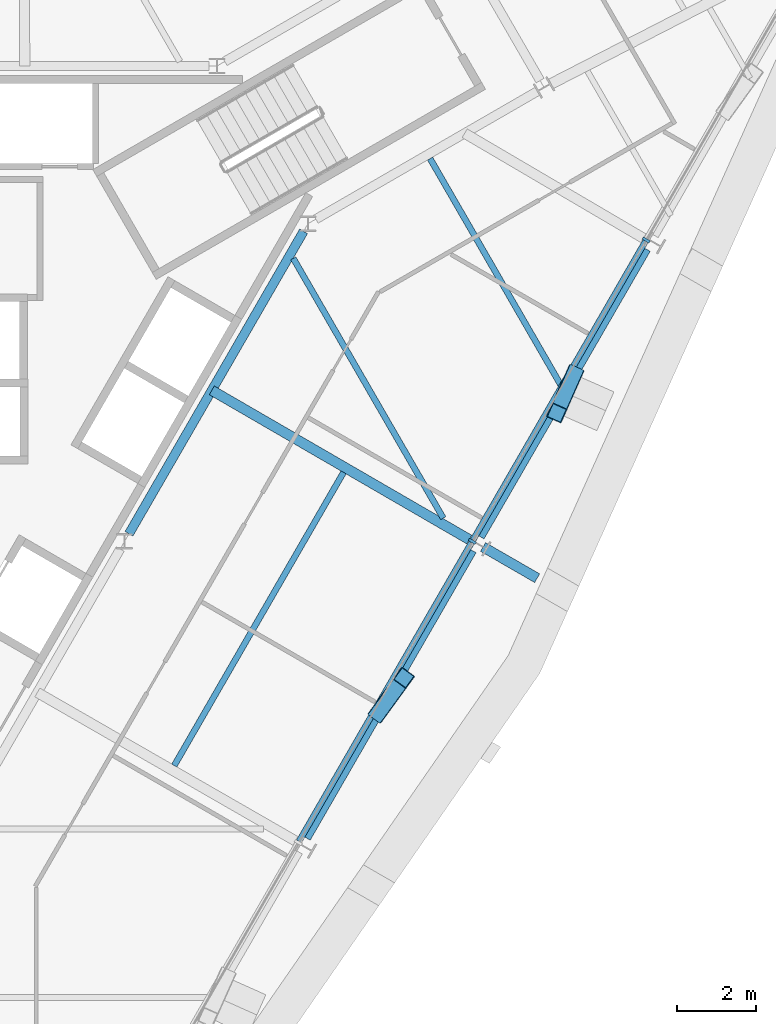
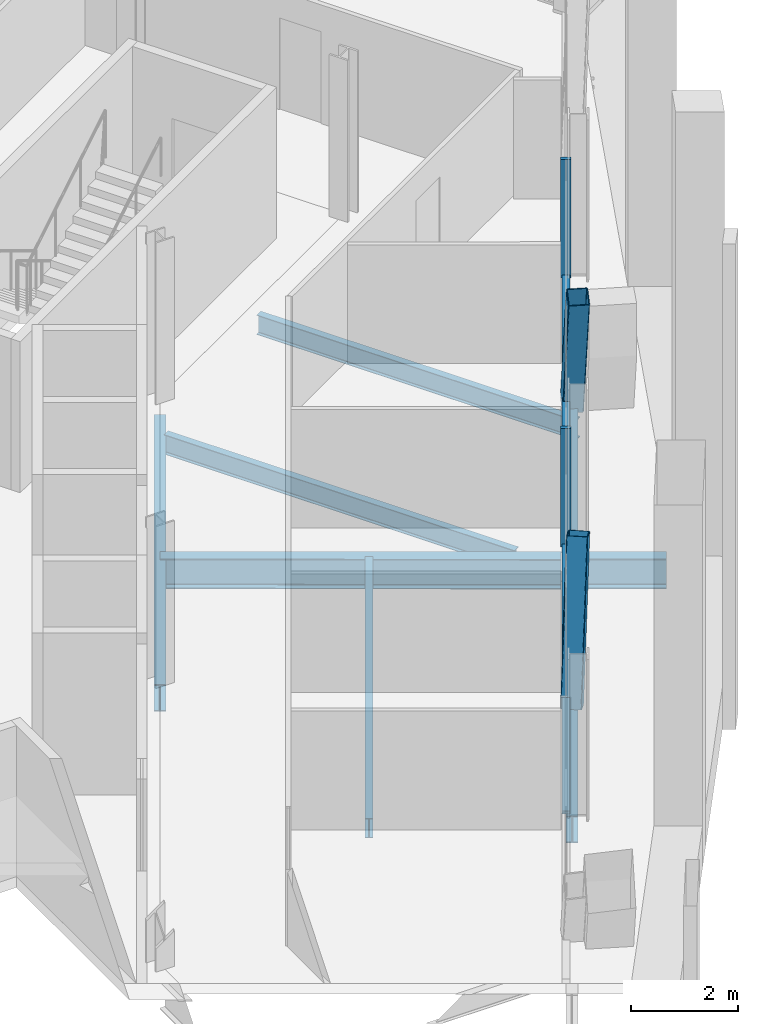
# One storey, part 5 of 14: 8 beams, 6 members, 1 element without a shape of its own.
"""IFC4 building model written with IfcOpenShell, lengths in metres."""

from ifc_helpers import new_model, si_unit, direction, frame, origin, origin_2d, place, context, subcontext, project, spatial, rectangle, hollow_rectangle, i_section, extrude, material, material_profile, profile_set, type_object, element, aggregate, save


model = new_model("IFC4")

# Units and contexts
model_context = context("Model", 3, precision=1e-05, world=origin(), true_north=direction((0.0, 1.0)))
body_context = subcontext(model_context, "Body", "Model", "MODEL_VIEW")
ifc_project = project(units=[si_unit("LENGTHUNIT", "METRE"), si_unit("AREAUNIT", "SQUARE_METRE"), si_unit("VOLUMEUNIT", "CUBIC_METRE"), si_unit("PLANEANGLEUNIT", "RADIAN"), si_unit("MASSUNIT", "GRAM", prefix="KILO")], contexts=[model_context])

# Site, building, storey
site_placement = place(None, origin())
site = spatial("IfcSite", under=ifc_project, at=site_placement, CompositionType="ELEMENT")
building_placement = place(site_placement, origin())
building = spatial("IfcBuilding", under=site, at=building_placement, Name="Verrane Prism Tower", CompositionType="ELEMENT")
storey_placement = place(building_placement, frame((0.0, 0.0, 217.5)))
storey = spatial("IfcBuildingStorey", under=building, at=storey_placement, Name="L54", CompositionType="ELEMENT", Elevation=217.5)

# Beam
ifc_material_1 = material(Name="Steel A992", Category="steel")
ifc_material_profile_1 = material_profile(ifc_material_1, i_section(OverallWidth=0.23046875, OverallDepth=0.6171875, WebThickness=0.01318359375, FlangeThickness=0.022216796875, FilletRadius=0.012939453125, at=origin_2d()), Name="W24x94")
ifc_profile_set_1 = profile_set([ifc_material_profile_1], Name="Steel A992")
beam_type_1 = type_object("IfcBeamType", Name="Core ring girder W24x94", PredefinedType="BEAM", material=ifc_profile_set_1)
beam_1_placement = place(storey_placement, frame((7.04150390625, -3.806884765625, -0.55859375), z_axis=(0.499967007444, 0.866044451208, 0.0), x_axis=(-0.866044451208, 0.499967007444, 0.0)))
element("IfcBeam", 1, at=beam_1_placement, inside=storey, type_object=beam_type_1, Name="Core ring girder L54", PredefinedType="BEAM", context=body_context, shape_type="SweptSolid", body=[
    extrude(i_section(OverallWidth=0.23046875, OverallDepth=0.6171875, WebThickness=0.01318359375, FlangeThickness=0.022216796875, FilletRadius=0.012939453125, at=origin_2d()), origin(), (0.0, 0.0, 1.0), 8.814453125),
])

# Members
ifc_material_2 = material(Name="Steel A500 Grade C", Category="steel")
ifc_material_profile_2 = material_profile(ifc_material_2, hollow_rectangle(XDim=0.406494140625, YDim=0.406494140625, WallThickness=0.01904296875, InnerFilletRadius=0.009521484375, OuterFilletRadius=0.028564453125, at=origin_2d()), Name="HSS16x16x3/4")
ifc_profile_set_2 = profile_set([ifc_material_profile_2], Name="Steel A500 Grade C")
member_type_1 = type_object("IfcMemberType", Name="Facade brace HSS16x16x3/4", PredefinedType="BRACE", material=ifc_profile_set_2)
member_1_placement = place(storey_placement, frame((13.339599609375, -8.32666015625, -0.216796875), z_axis=(0.190108323497, 0.261308589141, 0.946349114533), x_axis=(-0.808639342556, 0.588304694585, 0.0)))
element("IfcMember", 2, at=member_1_placement, inside=storey, type_object=member_type_1, Name="Facade brace SE2 L54", PredefinedType="BRACE", context=body_context, shape_type="SweptSolid", body=[
    extrude(hollow_rectangle(XDim=0.406494140625, YDim=0.406494140625, WallThickness=0.01904296875, InnerFilletRadius=0.009521484375, OuterFilletRadius=0.028564453125, at=origin_2d()), origin(), (0.0, 0.0, 1.0), 3.37744140625),
])
member_2_placement = place(storey_placement, frame((18.274169921875, 0.220458984375, -0.216796875), z_axis=(-0.128284524914, -0.290179450483, 0.948334839171), x_axis=(0.914610036673, -0.404337088105, 0.0)))
element("IfcMember", 3, at=member_2_placement, inside=storey, type_object=member_type_1, Name="Facade brace SE3 L54", PredefinedType="BRACE", context=body_context, shape_type="SweptSolid", body=[
    extrude(hollow_rectangle(XDim=0.406494140625, YDim=0.406494140625, WallThickness=0.01904296875, InnerFilletRadius=0.009521484375, OuterFilletRadius=0.028564453125, at=origin_2d()), origin(), (0.0, 0.0, 1.0), 3.370361328125),
])

# Beams
ifc_material_3 = material(Name="Steel A992", Category="steel")
ifc_material_profile_3 = material_profile(ifc_material_3, i_section(OverallWidth=0.15234375, OverallDepth=0.449462890625, WebThickness=0.007568359375, FlangeThickness=0.0107421875, FilletRadius=0.01025390625, at=origin_2d()), Name="W18x35")
ifc_profile_set_3 = profile_set([ifc_material_profile_3], Name="Steel A992")
beam_type_2 = type_object("IfcBeamType", Name="Floor beam W18x35", PredefinedType="BEAM", material=ifc_profile_set_3)
beam_2_placement = place(storey_placement, frame((8.18359375, -9.659912109375, -0.384765625), z_axis=(0.500005905661, 0.866021994122, 0.0), x_axis=(-0.866021994122, 0.500005905661, 0.0)))
element("IfcBeam", 4, at=beam_2_placement, inside=storey, type_object=beam_type_2, Name="Floor beam L54", PredefinedType="BEAM", context=body_context, shape_type="SweptSolid", body=[
    extrude(i_section(OverallWidth=0.15234375, OverallDepth=0.449462890625, WebThickness=0.007568359375, FlangeThickness=0.0107421875, FilletRadius=0.01025390625, at=origin_2d()), origin(), (0.0, 0.0, 1.0), 8.54931640625),
])
beam_3_placement = place(storey_placement, frame((18.095703125, -0.318115234375, -0.384765625), z_axis=(-0.499979524615, 0.866037224931, 0.0), x_axis=(-0.866037224931, -0.499979524615, 0.0)))
element("IfcBeam", 5, at=beam_3_placement, inside=storey, type_object=beam_type_2, Name="Floor beam L54", PredefinedType="BEAM", context=body_context, shape_type="SweptSolid", body=[
    extrude(i_section(OverallWidth=0.15234375, OverallDepth=0.449462890625, WebThickness=0.007568359375, FlangeThickness=0.0107421875, FilletRadius=0.01025390625, at=origin_2d()), origin(), (0.0, 0.0, 1.0), 6.905517578125),
])
beam_4_placement = place(storey_placement, frame((14.975341796875, -3.413818359375, -0.384765625), z_axis=(-0.50001820224, 0.866014894461, 0.0), x_axis=(-0.866014894461, -0.50001820224, 0.0)))
element("IfcBeam", 6, at=beam_4_placement, inside=storey, type_object=beam_type_2, Name="Floor beam L54", PredefinedType="BEAM", context=body_context, shape_type="SweptSolid", body=[
    extrude(i_section(OverallWidth=0.15234375, OverallDepth=0.449462890625, WebThickness=0.007568359375, FlangeThickness=0.0107421875, FilletRadius=0.01025390625, at=origin_2d()), origin(), (0.0, 0.0, 1.0), 7.574462890625),
])

# Curtain wall, members
ifc_material_4 = material(Name="Aluminium framed insulated glazing", Category="aluminium")
curtain_wall_type = type_object("IfcCurtainWallType", Name="Curtain wall CW-A 8400 module", PredefinedType="NOTDEFINED", material=ifc_material_4)
curtain_wall_placement = place(storey_placement, origin())
curtain_wall = element("IfcCurtainWall", 7, at=curtain_wall_placement, inside=storey, type_object=curtain_wall_type, Name="Glazed curtain wall south-east face L54", PredefinedType="NOTDEFINED")
ifc_material_5 = material(Name="Aluminium alloy 6063-T6", Category="aluminium")
ifc_material_profile_4 = material_profile(ifc_material_5, rectangle(XDim=0.199951171875, YDim=0.070068359375, at=origin_2d()), Name="Mullion 70x200 aluminium")
ifc_profile_set_4 = profile_set([ifc_material_profile_4], Name="Aluminium alloy 6063-T6")
member_type_2 = type_object("IfcMemberType", Name="Mullion 70x200 aluminium", PredefinedType="MULLION", material=ifc_profile_set_4)
member_3_placement = place(storey_placement, frame((15.70703125, -3.998046875, 0.0), z_axis=(0.0, 0.0, 1.0), x_axis=(-0.866024862365, 0.500000937764, 0.0)))
member_3 = element("IfcMember", 8, at=member_3_placement, type_object=member_type_2, Name="CW54.6 mullion 4", PredefinedType="MULLION", context=body_context, shape_type="SweptSolid", body=[
    extrude(rectangle(XDim=0.199951171875, YDim=0.070068359375, at=origin_2d()), origin(), (0.0, 0.0, 1.0), 2.712890625),
])
member_4_placement = place(storey_placement, frame((20.09814453125, 3.607421875, 0.0), z_axis=(0.0, 0.0, 1.0), x_axis=(-0.866024862365, 0.500000937764, 0.0)))
member_4 = element("IfcMember", 9, at=member_4_placement, type_object=member_type_2, Name="CW54.6 mullion 5", PredefinedType="MULLION", context=body_context, shape_type="SweptSolid", body=[
    extrude(rectangle(XDim=0.199951171875, YDim=0.070068359375, at=origin_2d()), origin(), (0.0, 0.0, 1.0), 2.712890625),
])

# Beams
ifc_material_6 = material(Name="Steel A992", Category="steel")
ifc_material_profile_5 = material_profile(ifc_material_6, i_section(OverallWidth=0.25390625, OverallDepth=0.683349609375, WebThickness=0.012451171875, FlangeThickness=0.01904296875, FilletRadius=0.01513671875, at=origin_2d()), Name="W27x94")
ifc_profile_set_5 = profile_set([ifc_material_profile_5], Name="Steel A992")
beam_type_3 = type_object("IfcBeamType", Name="Radial girder W27x94", PredefinedType="BEAM", material=ifc_profile_set_5)
beam_5_placement = place(storey_placement, frame((15.6318359375, -3.953857421875, -0.5615234375), z_axis=(-0.865193329897, 0.501438432813, 0.0), x_axis=(-0.501438432813, -0.865193329897, 0.0)))
element("IfcBeam", 10, at=beam_5_placement, inside=storey, type_object=beam_type_3, Name="Radial girder L54", PredefinedType="BEAM", context=body_context, shape_type="SweptSolid", body=[
    extrude(i_section(OverallWidth=0.25390625, OverallDepth=0.683349609375, WebThickness=0.012451171875, FlangeThickness=0.01904296875, FilletRadius=0.01513671875, at=origin_2d()), origin(), (0.0, 0.0, 1.0), 7.512939453125),
])
beam_6_placement = place(storey_placement, frame((15.97998046875, -4.140380859375, -0.5615234375), z_axis=(0.866033453245, -0.499986057666, 0.0), x_axis=(0.499986057666, 0.866033453245, 0.0)))
element("IfcBeam", 11, at=beam_6_placement, inside=storey, type_object=beam_type_3, Name="Cantilever girder L54", PredefinedType="BEAM", context=body_context, shape_type="SweptSolid", body=[
    extrude(i_section(OverallWidth=0.25390625, OverallDepth=0.683349609375, WebThickness=0.012451171875, FlangeThickness=0.01904296875, FilletRadius=0.01513671875, at=origin_2d()), origin(), (0.0, 0.0, 1.0), 1.57666015625),
])
ifc_material_7 = material(Name="Steel A992", Category="steel")
ifc_material_profile_6 = material_profile(ifc_material_7, i_section(OverallWidth=0.23046875, OverallDepth=0.6171875, WebThickness=0.01318359375, FlangeThickness=0.022216796875, FilletRadius=0.012939453125, at=origin_2d()), Name="W24x94")
ifc_profile_set_6 = profile_set([ifc_material_profile_6], Name="Steel A992")
beam_type_4 = type_object("IfcBeamType", Name="Spandrel beam W24x94", PredefinedType="SPANDREL", material=ifc_profile_set_6)
beam_7_placement = place(storey_placement, frame((11.516357421875, -11.48681640625, -0.468505859375), z_axis=(0.499708162053, 0.866193830951, 0.0), x_axis=(-0.866193830951, 0.499708162053, 0.0)))
element("IfcBeam", 12, at=beam_7_placement, inside=storey, type_object=beam_type_4, Name="Spandrel beam L54", PredefinedType="SPANDREL", context=body_context, shape_type="SweptSolid", body=[
    extrude(i_section(OverallWidth=0.23046875, OverallDepth=0.6171875, WebThickness=0.01318359375, FlangeThickness=0.022216796875, FilletRadius=0.012939453125, at=origin_2d()), origin(), (0.0, 0.0, 1.0), 8.38037109375),
])
beam_8_placement = place(storey_placement, frame((15.90478515625, -3.880126953125, -0.468505859375), z_axis=(0.500294577608, 0.86585526251, 0.0), x_axis=(-0.86585526251, 0.500294577608, 0.0)))
element("IfcBeam", 13, at=beam_8_placement, inside=storey, type_object=beam_type_4, Name="Spandrel beam L54", PredefinedType="SPANDREL", context=body_context, shape_type="SweptSolid", body=[
    extrude(i_section(OverallWidth=0.23046875, OverallDepth=0.6171875, WebThickness=0.01318359375, FlangeThickness=0.022216796875, FilletRadius=0.012939453125, at=origin_2d()), origin(), (0.0, 0.0, 1.0), 8.38427734375),
])

# Member
ifc_material_8 = material(Name="Aluminium alloy 6063-T6", Category="aluminium")
ifc_material_profile_7 = material_profile(ifc_material_8, rectangle(XDim=0.14990234375, YDim=0.070068359375, at=origin_2d()), Name="Transom 70x150 aluminium")
ifc_profile_set_7 = profile_set([ifc_material_profile_7], Name="Aluminium alloy 6063-T6")
member_type_3 = type_object("IfcMemberType", Name="Transom 70x150 aluminium", PredefinedType="USERDEFINED", material=ifc_profile_set_7)
member_5_placement = place(storey_placement, frame((11.33349609375, -11.5732421875, 0.034912109375), z_axis=(0.500024057273, 0.866011513866, 0.0), x_axis=(-0.866011513866, 0.500024057273, 0.0)))
member_5 = element("IfcMember", 14, at=member_5_placement, type_object=member_type_3, Name="CW54.6 transom 3", ObjectType="TRANSOM", PredefinedType="USERDEFINED", context=body_context, shape_type="SweptSolid", body=[
    extrude(rectangle(XDim=0.14990234375, YDim=0.070068359375, at=origin_2d()), origin(), (0.0, 0.0, 1.0), 8.7119140625),
])

member_6_placement = place(storey_placement, frame((15.724609375, -3.9677734375, 0.034912109375), z_axis=(0.499990905326, 0.866030654533, 0.0), x_axis=(-0.866030654533, 0.499990905326, 0.0)))
member_6 = element("IfcMember", 15, at=member_6_placement, type_object=member_type_3, Name="CW54.6 transom 4", ObjectType="TRANSOM", PredefinedType="USERDEFINED", context=body_context, shape_type="SweptSolid", body=[
    extrude(rectangle(XDim=0.14990234375, YDim=0.070068359375, at=origin_2d()), origin(), (0.0, 0.0, 1.0), 8.712158203125),
])

aggregate(curtain_wall, [member_3, member_4, member_5, member_6])

save(model, "model.ifc")
